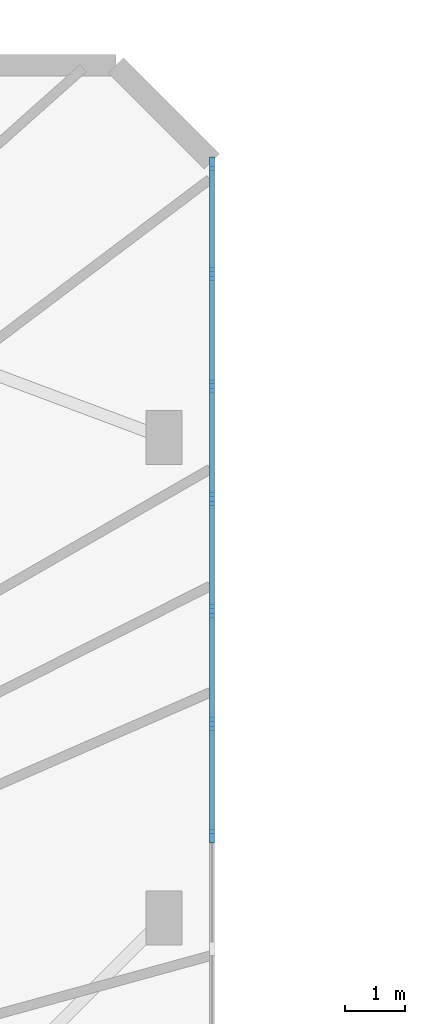
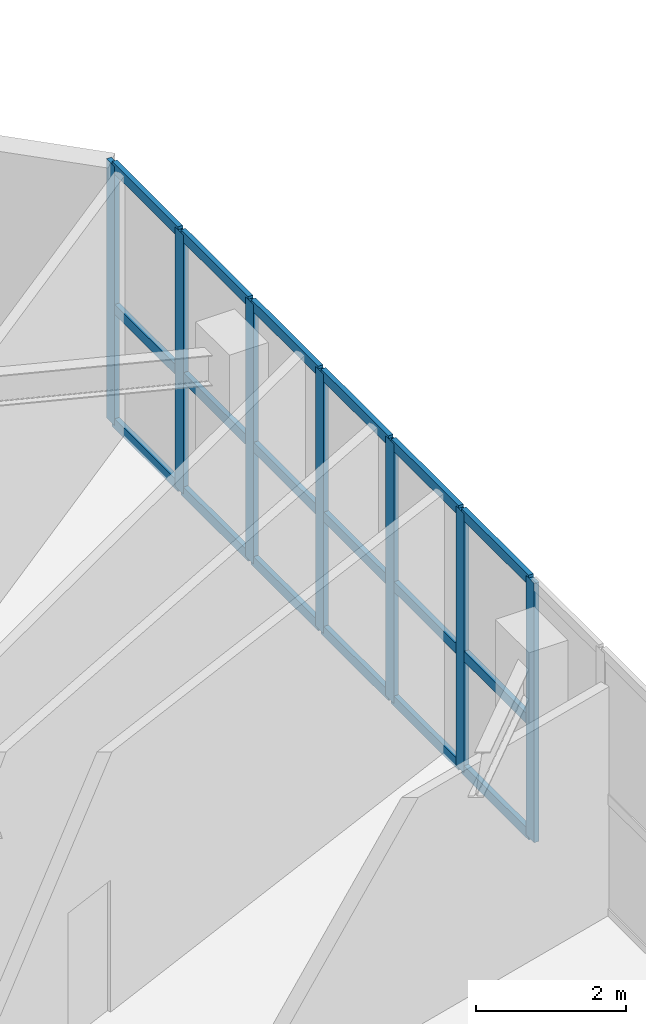
# One storey, part 4 of 24: 25 members, 1 element without a shape of its own.
"""IFC4 building model written with IfcOpenShell, lengths in metres."""

from ifc_helpers import new_model, si_unit, direction, frame, origin, origin_with_axes, origin_2d, place, context, subcontext, project, spatial, rectangle, extrude, source, transform, mapped, material, layer, layer_set, material_profile, profile_set, type_object, element, aggregate, save


model = new_model("IFC4")

# Units and contexts
model_context = context("Model", 3, precision=1e-05, world=origin(), true_north=direction((0.0, 1.0)))
body_context = subcontext(model_context, "Body", "Model", "MODEL_VIEW")
ifc_project = project(units=[si_unit("LENGTHUNIT", "METRE"), si_unit("AREAUNIT", "SQUARE_METRE"), si_unit("VOLUMEUNIT", "CUBIC_METRE"), si_unit("PLANEANGLEUNIT", "RADIAN"), si_unit("MASSUNIT", "GRAM", prefix="KILO")], contexts=[model_context])

# Site, building, storey
site_placement = place(None, origin())
site = spatial("IfcSite", under=ifc_project, at=site_placement, CompositionType="ELEMENT")
building_placement = place(site_placement, origin())
building = spatial("IfcBuilding", under=site, at=building_placement, Name="Karkom Vertical University and Central Library", CompositionType="ELEMENT")
storey_placement = place(building_placement, frame((0.0, 0.0, 13.5)))
storey = spatial("IfcBuildingStorey", under=building, at=storey_placement, Name="L03", CompositionType="ELEMENT", Elevation=13.5)

# Curtain wall, members
ifc_material_1 = material(Name="Aluminium curtain-wall framing and low-E IGU", Category="aluminium")
ifc_layer = layer(ifc_material_1, 0.199951171875)
ifc_layer_set = layer_set([ifc_layer], Name="Aluminium curtain-wall framing and low-E IGU")
curtain_wall_type = type_object("IfcCurtainWallType", Name="ENV-CW-3", PredefinedType="USERDEFINED", material=ifc_layer_set)
curtain_wall_placement = place(storey_placement, origin())
curtain_wall = element("IfcCurtainWall", 1, at=curtain_wall_placement, inside=storey, type_object=curtain_wall_type, Name="Level 03 CW-3 Curtain Wall Level 03-CW3-3-2", ObjectType="STICK MULLION GLAZING", PredefinedType="USERDEFINED")
ifc_material_2 = material(Name="Anodised Aluminium 6063-T6", Category="aluminium")
ifc_material_profile_1 = material_profile(ifc_material_2, rectangle(XDim=0.074951171875, YDim=0.219970703125, at=origin_2d()), Name="ALU-M75x220")
ifc_profile_set_1 = profile_set([ifc_material_profile_1], Name="Anodised Aluminium 6063-T6")
member_type_1 = type_object("IfcMemberType", Name="ENV-MEM-ALU-M75x220", PredefinedType="MULLION", material=ifc_profile_set_1)
shared_shape_1 = source(origin_with_axes(), body_context, "Body", "SweptSolid", [
    extrude(rectangle(XDim=0.074951171875, YDim=0.219970703125, at=origin_2d()), origin(), (0.0, 0.0, 1.0), 4.22509765625),
])
member_1_placement = place(storey_placement, frame((55.60009765625, 35.863525390625, 0.0), z_axis=(0.0, 0.0, 1.0), x_axis=(-1.0, 0.0, 0.0)))
member_1 = element("IfcMember", 2, at=member_1_placement, type_object=member_type_1, Name="CW-3 mullion 6", PredefinedType="MULLION", context=body_context, shape_type="MappedRepresentation", body=[
    mapped(shared_shape_1, transform((0.0, 0.0, 0.0), scale=1.0)),
])
member_2_placement = place(storey_placement, frame((55.60009765625, 37.736328125, 0.0), z_axis=(0.0, 0.0, 1.0), x_axis=(-1.0, 0.0, 0.0)))
member_2 = element("IfcMember", 3, at=member_2_placement, type_object=member_type_1, Name="CW-3 mullion 7", PredefinedType="MULLION", context=body_context, shape_type="MappedRepresentation", body=[
    mapped(shared_shape_1, transform((0.0, 0.0, 0.0), scale=1.0)),
])
member_3_placement = place(storey_placement, frame((55.60009765625, 39.609130859375, 0.0), z_axis=(0.0, 0.0, 1.0), x_axis=(-1.0, 0.0, 0.0)))
member_3 = element("IfcMember", 4, at=member_3_placement, type_object=member_type_1, Name="CW-3 mullion 8", PredefinedType="MULLION", context=body_context, shape_type="MappedRepresentation", body=[
    mapped(shared_shape_1, transform((0.0, 0.0, 0.0), scale=1.0)),
])
member_4_placement = place(storey_placement, frame((55.60009765625, 41.48193359375, 0.0), z_axis=(0.0, 0.0, 1.0), x_axis=(-1.0, 0.0, 0.0)))
member_4 = element("IfcMember", 5, at=member_4_placement, type_object=member_type_1, Name="CW-3 mullion 9", PredefinedType="MULLION", context=body_context, shape_type="MappedRepresentation", body=[
    mapped(shared_shape_1, transform((0.0, 0.0, 0.0), scale=1.0)),
])
member_5_placement = place(storey_placement, frame((55.60009765625, 43.3544921875, 0.0), z_axis=(0.0, 0.0, 1.0), x_axis=(-1.0, 0.0, 0.0)))
member_5 = element("IfcMember", 6, at=member_5_placement, type_object=member_type_1, Name="CW-3 mullion 10", PredefinedType="MULLION", context=body_context, shape_type="MappedRepresentation", body=[
    mapped(shared_shape_1, transform((0.0, 0.0, 0.0), scale=1.0)),
])
member_6_placement = place(storey_placement, frame((55.60009765625, 45.227294921875, 0.0), z_axis=(0.0, 0.0, 1.0), x_axis=(-1.0, 0.0, 0.0)))
member_6 = element("IfcMember", 7, at=member_6_placement, type_object=member_type_1, Name="CW-3 mullion 11", PredefinedType="MULLION", context=body_context, shape_type="MappedRepresentation", body=[
    mapped(shared_shape_1, transform((0.0, 0.0, 0.0), scale=1.0)),
])
member_7_placement = place(storey_placement, frame((55.60009765625, 47.0625, 0.0), z_axis=(0.0, 0.0, 1.0), x_axis=(-1.0, 0.0, 0.0)))
member_7 = element("IfcMember", 8, at=member_7_placement, type_object=member_type_1, Name="CW-3 mullion 12", PredefinedType="MULLION", context=body_context, shape_type="MappedRepresentation", body=[
    mapped(shared_shape_1, transform((0.0, 0.0, 0.0), scale=1.0)),
])
ifc_material_profile_2 = material_profile(ifc_material_2, rectangle(XDim=0.074951171875, YDim=0.1650390625, at=origin_2d()), Name="ALU-T75x165")
ifc_profile_set_2 = profile_set([ifc_material_profile_2], Name="Anodised Aluminium 6063-T6")
member_type_2 = type_object("IfcMemberType", Name="ENV-MEM-ALU-T75x165", PredefinedType="USERDEFINED", material=ifc_profile_set_2)
shared_shape_2 = source(origin_with_axes(), body_context, "Body", "SweptSolid", [
    extrude(rectangle(XDim=0.074951171875, YDim=0.1650390625, at=origin_2d()), origin(), (0.0, 0.0, 1.0), 1.760009765625),
])
member_8_placement = place(storey_placement, frame((55.60009765625, 45.264892578125, 0.03759765625), z_axis=(0.0, 1.0, 0.0), x_axis=(-1.0, 0.0, 0.0)))
member_8 = element("IfcMember", 9, at=member_8_placement, type_object=member_type_2, Name="CW-3 transom 11.1", ObjectType="TRANSOM", PredefinedType="USERDEFINED", context=body_context, shape_type="MappedRepresentation", body=[
    mapped(shared_shape_2, transform((0.0, 0.0, 0.0), scale=1.0)),
])
member_9_placement = place(storey_placement, frame((55.60009765625, 45.264892578125, 1.901123046875), z_axis=(0.0, 1.0, 0.0), x_axis=(-1.0, 0.0, 0.0)))
member_9 = element("IfcMember", 10, at=member_9_placement, type_object=member_type_2, Name="CW-3 transom 11.2", ObjectType="TRANSOM", PredefinedType="USERDEFINED", context=body_context, shape_type="MappedRepresentation", body=[
    mapped(shared_shape_2, transform((0.0, 0.0, 0.0), scale=1.0)),
])
member_10_placement = place(storey_placement, frame((55.60009765625, 45.264892578125, 4.1875), z_axis=(0.0, 1.0, 0.0), x_axis=(-1.0, 0.0, 0.0)))
member_10 = element("IfcMember", 11, at=member_10_placement, type_object=member_type_2, Name="CW-3 transom 11.3", ObjectType="TRANSOM", PredefinedType="USERDEFINED", context=body_context, shape_type="MappedRepresentation", body=[
    mapped(shared_shape_2, transform((0.0, 0.0, 0.0), scale=1.0)),
])
shared_shape_3 = source(origin_with_axes(), body_context, "Body", "SweptSolid", [
    extrude(rectangle(XDim=0.074951171875, YDim=0.1650390625, at=origin_2d()), origin(), (0.0, 0.0, 1.0), 1.797607421875),
])
member_11_placement = place(storey_placement, frame((55.60009765625, 37.77392578125, 0.03759765625), z_axis=(0.0, 1.0, 0.0), x_axis=(-1.0, 0.0, 0.0)))
member_11 = element("IfcMember", 12, at=member_11_placement, type_object=member_type_2, Name="CW-3 transom 7.1", ObjectType="TRANSOM", PredefinedType="USERDEFINED", context=body_context, shape_type="MappedRepresentation", body=[
    mapped(shared_shape_3, transform((0.0, 0.0, 0.0), scale=1.0)),
])
member_12_placement = place(storey_placement, frame((55.60009765625, 37.77392578125, 1.901123046875), z_axis=(0.0, 1.0, 0.0), x_axis=(-1.0, 0.0, 0.0)))
member_12 = element("IfcMember", 13, at=member_12_placement, type_object=member_type_2, Name="CW-3 transom 7.2", ObjectType="TRANSOM", PredefinedType="USERDEFINED", context=body_context, shape_type="MappedRepresentation", body=[
    mapped(shared_shape_3, transform((0.0, 0.0, 0.0), scale=1.0)),
])
member_13_placement = place(storey_placement, frame((55.60009765625, 37.77392578125, 4.1875), z_axis=(0.0, 1.0, 0.0), x_axis=(-1.0, 0.0, 0.0)))
member_13 = element("IfcMember", 14, at=member_13_placement, type_object=member_type_2, Name="CW-3 transom 7.3", ObjectType="TRANSOM", PredefinedType="USERDEFINED", context=body_context, shape_type="MappedRepresentation", body=[
    mapped(shared_shape_3, transform((0.0, 0.0, 0.0), scale=1.0)),
])
member_14_placement = place(storey_placement, frame((55.60009765625, 43.39208984375, 0.03759765625), z_axis=(0.0, 1.0, 0.0), x_axis=(-1.0, 0.0, 0.0)))
member_14 = element("IfcMember", 15, at=member_14_placement, type_object=member_type_2, Name="CW-3 transom 10.1", ObjectType="TRANSOM", PredefinedType="USERDEFINED", context=body_context, shape_type="MappedRepresentation", body=[
    mapped(shared_shape_3, transform((0.0, 0.0, 0.0), scale=1.0)),
])
member_15_placement = place(storey_placement, frame((55.60009765625, 43.39208984375, 1.901123046875), z_axis=(0.0, 1.0, 0.0), x_axis=(-1.0, 0.0, 0.0)))
member_15 = element("IfcMember", 16, at=member_15_placement, type_object=member_type_2, Name="CW-3 transom 10.2", ObjectType="TRANSOM", PredefinedType="USERDEFINED", context=body_context, shape_type="MappedRepresentation", body=[
    mapped(shared_shape_3, transform((0.0, 0.0, 0.0), scale=1.0)),
])
member_16_placement = place(storey_placement, frame((55.60009765625, 43.39208984375, 4.1875), z_axis=(0.0, 1.0, 0.0), x_axis=(-1.0, 0.0, 0.0)))
member_16 = element("IfcMember", 17, at=member_16_placement, type_object=member_type_2, Name="CW-3 transom 10.3", ObjectType="TRANSOM", PredefinedType="USERDEFINED", context=body_context, shape_type="MappedRepresentation", body=[
    mapped(shared_shape_3, transform((0.0, 0.0, 0.0), scale=1.0)),
])
shared_shape_4 = source(origin_with_axes(), body_context, "Body", "SweptSolid", [
    extrude(rectangle(XDim=0.074951171875, YDim=0.1650390625, at=origin_2d()), origin(), (0.0, 0.0, 1.0), 1.7978515625),
])
member_17_placement = place(storey_placement, frame((55.60009765625, 35.901123046875, 0.03759765625), z_axis=(0.0, 1.0, 0.0), x_axis=(-1.0, 0.0, 0.0)))
member_17 = element("IfcMember", 18, at=member_17_placement, type_object=member_type_2, Name="CW-3 transom 6.1", ObjectType="TRANSOM", PredefinedType="USERDEFINED", context=body_context, shape_type="MappedRepresentation", body=[
    mapped(shared_shape_4, transform((0.0, 0.0, 0.0), scale=1.0)),
])
member_18_placement = place(storey_placement, frame((55.60009765625, 35.901123046875, 1.901123046875), z_axis=(0.0, 1.0, 0.0), x_axis=(-1.0, 0.0, 0.0)))
member_18 = element("IfcMember", 19, at=member_18_placement, type_object=member_type_2, Name="CW-3 transom 6.2", ObjectType="TRANSOM", PredefinedType="USERDEFINED", context=body_context, shape_type="MappedRepresentation", body=[
    mapped(shared_shape_4, transform((0.0, 0.0, 0.0), scale=1.0)),
])
member_19_placement = place(storey_placement, frame((55.60009765625, 35.901123046875, 4.1875), z_axis=(0.0, 1.0, 0.0), x_axis=(-1.0, 0.0, 0.0)))
member_19 = element("IfcMember", 20, at=member_19_placement, type_object=member_type_2, Name="CW-3 transom 6.3", ObjectType="TRANSOM", PredefinedType="USERDEFINED", context=body_context, shape_type="MappedRepresentation", body=[
    mapped(shared_shape_4, transform((0.0, 0.0, 0.0), scale=1.0)),
])
member_20_placement = place(storey_placement, frame((55.60009765625, 39.646484375, 0.03759765625), z_axis=(0.0, 1.0, 0.0), x_axis=(-1.0, 0.0, 0.0)))
member_20 = element("IfcMember", 21, at=member_20_placement, type_object=member_type_2, Name="CW-3 transom 8.1", ObjectType="TRANSOM", PredefinedType="USERDEFINED", context=body_context, shape_type="MappedRepresentation", body=[
    mapped(shared_shape_4, transform((0.0, 0.0, 0.0), scale=1.0)),
])
member_21_placement = place(storey_placement, frame((55.60009765625, 39.646484375, 1.901123046875), z_axis=(0.0, 1.0, 0.0), x_axis=(-1.0, 0.0, 0.0)))
member_21 = element("IfcMember", 22, at=member_21_placement, type_object=member_type_2, Name="CW-3 transom 8.2", ObjectType="TRANSOM", PredefinedType="USERDEFINED", context=body_context, shape_type="MappedRepresentation", body=[
    mapped(shared_shape_4, transform((0.0, 0.0, 0.0), scale=1.0)),
])
member_22_placement = place(storey_placement, frame((55.60009765625, 39.646484375, 4.1875), z_axis=(0.0, 1.0, 0.0), x_axis=(-1.0, 0.0, 0.0)))
member_22 = element("IfcMember", 23, at=member_22_placement, type_object=member_type_2, Name="CW-3 transom 8.3", ObjectType="TRANSOM", PredefinedType="USERDEFINED", context=body_context, shape_type="MappedRepresentation", body=[
    mapped(shared_shape_4, transform((0.0, 0.0, 0.0), scale=1.0)),
])
member_23_placement = place(storey_placement, frame((55.60009765625, 41.519287109375, 0.03759765625), z_axis=(0.0, 1.0, 0.0), x_axis=(-1.0, 0.0, 0.0)))
member_23 = element("IfcMember", 24, at=member_23_placement, type_object=member_type_2, Name="CW-3 transom 9.1", ObjectType="TRANSOM", PredefinedType="USERDEFINED", context=body_context, shape_type="MappedRepresentation", body=[
    mapped(shared_shape_4, transform((0.0, 0.0, 0.0), scale=1.0)),
])
member_24_placement = place(storey_placement, frame((55.60009765625, 41.519287109375, 1.901123046875), z_axis=(0.0, 1.0, 0.0), x_axis=(-1.0, 0.0, 0.0)))
member_24 = element("IfcMember", 25, at=member_24_placement, type_object=member_type_2, Name="CW-3 transom 9.2", ObjectType="TRANSOM", PredefinedType="USERDEFINED", context=body_context, shape_type="MappedRepresentation", body=[
    mapped(shared_shape_4, transform((0.0, 0.0, 0.0), scale=1.0)),
])
member_25_placement = place(storey_placement, frame((55.60009765625, 41.519287109375, 4.1875), z_axis=(0.0, 1.0, 0.0), x_axis=(-1.0, 0.0, 0.0)))
member_25 = element("IfcMember", 26, at=member_25_placement, type_object=member_type_2, Name="CW-3 transom 9.3", ObjectType="TRANSOM", PredefinedType="USERDEFINED", context=body_context, shape_type="MappedRepresentation", body=[
    mapped(shared_shape_4, transform((0.0, 0.0, 0.0), scale=1.0)),
])
aggregate(curtain_wall, [member_1, member_2, member_3, member_4, member_5, member_6, member_7, member_17, member_18, member_19, member_11, member_12, member_13, member_20, member_21, member_22, member_23, member_24, member_25, member_14, member_15, member_16, member_8, member_9, member_10])

save(model, "model.ifc")
